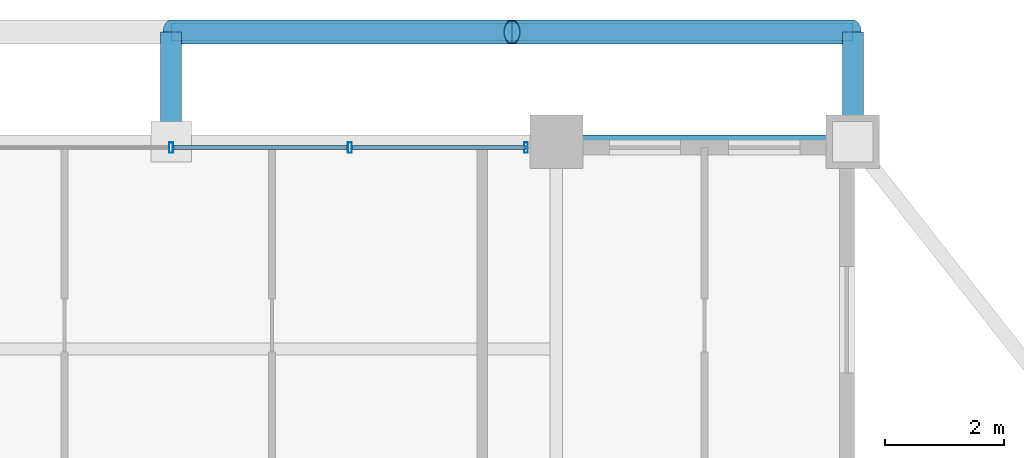
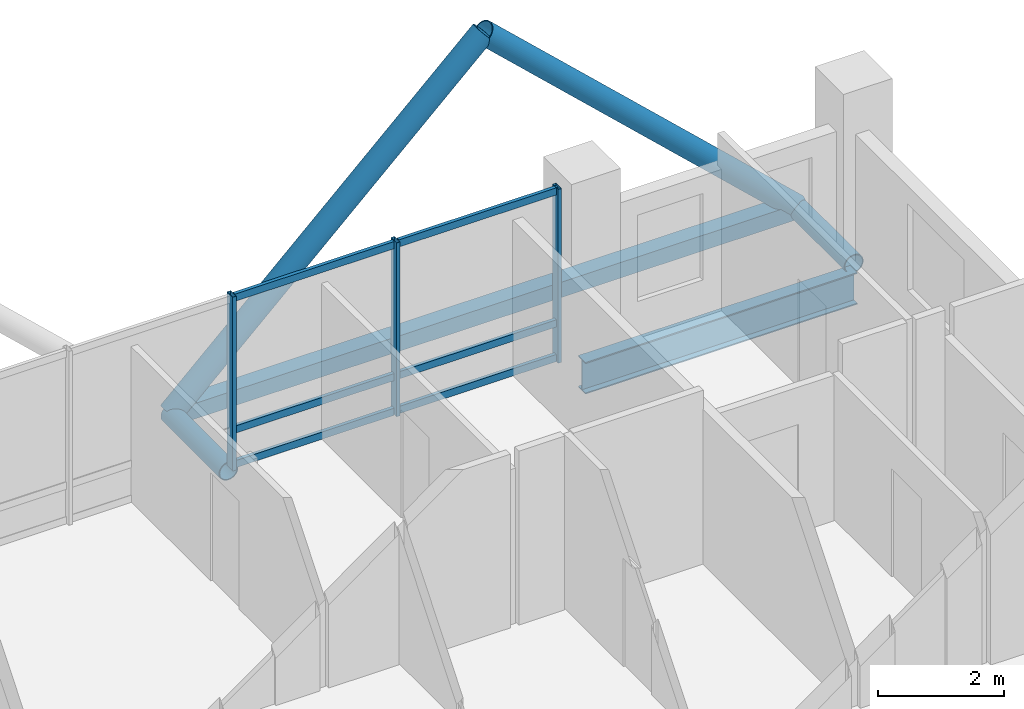
# One storey, part 17 of 24: 14 members, 1 beam, 1 element without a shape of its own.
"""IFC4 building model written with IfcOpenShell, lengths in metres."""

from ifc_helpers import new_model, si_unit, direction, frame, origin, origin_2d, place, context, subcontext, project, spatial, hollow_rectangle, hollow_circle, i_section, extrude, material, layer, layer_set, material_profile, profile_set, type_object, element, aggregate, save


model = new_model("IFC4")

# Units and contexts
model_context = context("Model", 3, precision=1e-05, world=origin(), true_north=direction((0.0, 1.0)))
body_context = subcontext(model_context, "Body", "Model", "MODEL_VIEW")
ifc_project = project(units=[si_unit("LENGTHUNIT", "METRE"), si_unit("AREAUNIT", "SQUARE_METRE"), si_unit("VOLUMEUNIT", "CUBIC_METRE"), si_unit("PLANEANGLEUNIT", "RADIAN"), si_unit("MASSUNIT", "GRAM", prefix="KILO")], contexts=[model_context])

# Site, building, storey
site_placement = place(None, origin())
site = spatial("IfcSite", under=ifc_project, at=site_placement, CompositionType="ELEMENT")
building_placement = place(site_placement, origin())
building = spatial("IfcBuilding", under=site, at=building_placement, Name="Barlavira Tower and Art Museum", CompositionType="ELEMENT")
storey_placement = place(building_placement, frame((0.0, 0.0, 283.5)))
storey = spatial("IfcBuildingStorey", under=building, at=storey_placement, Name="L74", CompositionType="ELEMENT", Elevation=283.5)

# Curtain wall, members
ifc_material_1 = material(Name="Low-iron coastal laminated glass", Category="glass")
ifc_layer = layer(ifc_material_1, 0.2099609375, Name="Low-iron coastal laminated glass")
ifc_layer_set = layer_set([ifc_layer], Name="Low-iron coastal laminated glass")
curtain_wall_type = type_object("IfcCurtainWallType", Name="Pale-Metal Unitised Curtain Wall Zone 4", PredefinedType="NOTDEFINED", material=ifc_layer_set)
curtain_wall_placement = place(storey_placement, origin())
curtain_wall = element("IfcCurtainWall", 1, at=curtain_wall_placement, inside=storey, type_object=curtain_wall_type, Name="L74 Curtain Wall CW4-L74-N-B2", PredefinedType="NOTDEFINED")
ifc_material_2 = material(Name="Pale anodised aluminium", Category="aluminium")
ifc_material_profile_1 = material_profile(ifc_material_2, hollow_rectangle(XDim=0.06494140625, YDim=0.179931640625, WallThickness=0.00390625, at=origin_2d()), Name="ALU-MULL 65x180x4")
ifc_profile_set_1 = profile_set([ifc_material_profile_1], Name="Pale anodised aluminium")
member_type_1 = type_object("IfcMemberType", Name="Curtain Wall Pale-Metal Mullion 65x180", PredefinedType="MULLION", material=ifc_profile_set_1)
member_1_placement = place(storey_placement, frame((5.985107421875, 19.89990234375, 0.0), z_axis=(0.0, 0.0, 1.0), x_axis=(-1.0, 0.0, 0.0)))
member_1 = element("IfcMember", 2, at=member_1_placement, type_object=member_type_1, Name="CW4-L74-N-B2 Mullion 0", PredefinedType="MULLION", context=body_context, shape_type="SweptSolid", body=[
    extrude(hollow_rectangle(XDim=0.06494140625, YDim=0.179931640625, WallThickness=0.00390625, at=origin_2d()), origin(), (0.0, 0.0, 1.0), 3.3798828125),
])
member_2_placement = place(storey_placement, frame((3.014892578125, 19.89990234375, 0.0), z_axis=(0.0, 0.0, 1.0), x_axis=(-1.0, 0.0, 0.0)))
member_2 = element("IfcMember", 3, at=member_2_placement, type_object=member_type_1, Name="CW4-L74-N-B2 Mullion 1", PredefinedType="MULLION", context=body_context, shape_type="SweptSolid", body=[
    extrude(hollow_rectangle(XDim=0.06494140625, YDim=0.179931640625, WallThickness=0.00390625, at=origin_2d()), origin(), (0.0, 0.0, 1.0), 3.3798828125),
])
member_3_placement = place(storey_placement, frame((0.0, 19.89990234375, 0.0), z_axis=(0.0, 0.0, 1.0), x_axis=(-1.0, 0.0, 0.0)))
member_3 = element("IfcMember", 4, at=member_3_placement, type_object=member_type_1, Name="CW4-L74-N-B2 Mullion 2", PredefinedType="MULLION", context=body_context, shape_type="SweptSolid", body=[
    extrude(hollow_rectangle(XDim=0.06494140625, YDim=0.179931640625, WallThickness=0.00390625, at=origin_2d()), origin(), (0.0, 0.0, 1.0), 3.3798828125),
])
ifc_material_profile_2 = material_profile(ifc_material_2, hollow_rectangle(XDim=0.06494140625, YDim=0.139892578125, WallThickness=0.00390625, at=origin_2d()), Name="ALU-TRAN 65x140x4")
ifc_profile_set_2 = profile_set([ifc_material_profile_2], Name="Pale anodised aluminium")
member_type_2 = type_object("IfcMemberType", Name="Curtain Wall Pale-Metal Transom 65x140", PredefinedType="USERDEFINED", material=ifc_profile_set_2)
member_4_placement = place(storey_placement, frame((5.985107421875, 19.89990234375, 0.070068359375), z_axis=(-1.0, 0.0, 0.0), x_axis=(0.0, -1.0, 0.0)))
member_4 = element("IfcMember", 5, at=member_4_placement, type_object=member_type_2, Name="CW4-L74-N-B2 Transom 0.1", ObjectType="TRANSOM", PredefinedType="USERDEFINED", context=body_context, shape_type="SweptSolid", body=[
    extrude(hollow_rectangle(XDim=0.06494140625, YDim=0.139892578125, WallThickness=0.00390625, at=origin_2d()), origin(), (0.0, 0.0, 1.0), 2.925048828125),
])
member_5_placement = place(storey_placement, frame((5.985107421875, 19.89990234375, 0.743896484375), z_axis=(-1.0, 0.0, 0.0), x_axis=(0.0, -1.0, 0.0)))
member_5 = element("IfcMember", 6, at=member_5_placement, type_object=member_type_2, Name="CW4-L74-N-B2 Transom 0.2", ObjectType="TRANSOM", PredefinedType="USERDEFINED", context=body_context, shape_type="SweptSolid", body=[
    extrude(hollow_rectangle(XDim=0.06494140625, YDim=0.139892578125, WallThickness=0.00390625, at=origin_2d()), origin(), (0.0, 0.0, 1.0), 2.925048828125),
])
member_6_placement = place(storey_placement, frame((5.985107421875, 19.89990234375, 3.31005859375), z_axis=(-1.0, 0.0, 0.0), x_axis=(0.0, -1.0, 0.0)))
member_6 = element("IfcMember", 7, at=member_6_placement, type_object=member_type_2, Name="CW4-L74-N-B2 Transom 0.3", ObjectType="TRANSOM", PredefinedType="USERDEFINED", context=body_context, shape_type="SweptSolid", body=[
    extrude(hollow_rectangle(XDim=0.06494140625, YDim=0.139892578125, WallThickness=0.00390625, at=origin_2d()), origin(), (0.0, 0.0, 1.0), 2.925048828125),
])
member_7_placement = place(storey_placement, frame((2.969970703125, 19.89990234375, 0.070068359375), z_axis=(-1.0, 0.0, 0.0), x_axis=(0.0, -1.0, 0.0)))
member_7 = element("IfcMember", 8, at=member_7_placement, type_object=member_type_2, Name="CW4-L74-N-B2 Transom 1.1", ObjectType="TRANSOM", PredefinedType="USERDEFINED", context=body_context, shape_type="SweptSolid", body=[
    extrude(hollow_rectangle(XDim=0.06494140625, YDim=0.139892578125, WallThickness=0.00390625, at=origin_2d()), origin(), (0.0, 0.0, 1.0), 2.925048828125),
])
member_8_placement = place(storey_placement, frame((2.969970703125, 19.89990234375, 0.743896484375), z_axis=(-1.0, 0.0, 0.0), x_axis=(0.0, -1.0, 0.0)))
member_8 = element("IfcMember", 9, at=member_8_placement, type_object=member_type_2, Name="CW4-L74-N-B2 Transom 1.2", ObjectType="TRANSOM", PredefinedType="USERDEFINED", context=body_context, shape_type="SweptSolid", body=[
    extrude(hollow_rectangle(XDim=0.06494140625, YDim=0.139892578125, WallThickness=0.00390625, at=origin_2d()), origin(), (0.0, 0.0, 1.0), 2.925048828125),
])
member_9_placement = place(storey_placement, frame((2.969970703125, 19.89990234375, 3.31005859375), z_axis=(-1.0, 0.0, 0.0), x_axis=(0.0, -1.0, 0.0)))
member_9 = element("IfcMember", 10, at=member_9_placement, type_object=member_type_2, Name="CW4-L74-N-B2 Transom 1.3", ObjectType="TRANSOM", PredefinedType="USERDEFINED", context=body_context, shape_type="SweptSolid", body=[
    extrude(hollow_rectangle(XDim=0.06494140625, YDim=0.139892578125, WallThickness=0.00390625, at=origin_2d()), origin(), (0.0, 0.0, 1.0), 2.925048828125),
])
aggregate(curtain_wall, [member_1, member_2, member_3, member_4, member_5, member_6, member_7, member_8, member_9])

# Members
ifc_material_3 = material(Name="Steel S355", Category="steel")
ifc_material_profile_3 = material_profile(ifc_material_3, hollow_circle(Radius=0.203125, WallThickness=0.01611328125, at=origin_2d()), Name="CHS 406.4x16.0")
ifc_profile_set_3 = profile_set([ifc_material_profile_3], Name="Steel S355")
member_type_3 = type_object("IfcMemberType", Name="Pale-Metal Exoskeleton Diagrid Tube CHS 406x16 Steel S355", PredefinedType="BRACE", material=ifc_profile_set_3)
for number, where, z_axis, x_axis, name in (
    (11, (0.0, 21.85009765625, -0.1201171875), (0.728934650808, 0.0, 0.684583285548), (0.0, 1.0, 0.0), "L74 Exoskeleton Diagrid Tube N"),
    (12, (11.5, 21.85009765625, -0.1201171875), (-0.728934650808, 0.0, 0.684583285548), (0.0, -1.0, 0.0), "L74 Exoskeleton Diagrid Tube N"),
):
    element("IfcMember", number, at=place(storey_placement, frame(where, z_axis=z_axis, x_axis=x_axis)), inside=storey, type_object=member_type_3, Name=name, PredefinedType="BRACE", context=body_context, shape_type="SweptSolid", body=[
        extrude(hollow_circle(Radius=0.203125, WallThickness=0.01611328125, at=origin_2d()), origin(), (0.0, 0.0, 1.0), 7.88818359375),
    ])
ifc_material_profile_4 = material_profile(ifc_material_3, hollow_circle(Radius=0.177734375, WallThickness=0.01611328125, at=origin_2d()), Name="CHS 355.6x16.0")
ifc_profile_set_4 = profile_set([ifc_material_profile_4], Name="Steel S355")
member_type_4 = type_object("IfcMemberType", Name="Pale-Metal Exoskeleton Tie Strut CHS 356x16 Steel S355", PredefinedType="STRUT", material=ifc_profile_set_4)
for number, where, z_axis, x_axis, name in (
    (13, (0.0, 21.85009765625, -0.1201171875), (0.0, -1.0, 0.0), (1.0, 0.0, 0.0), "L74 Exoskeleton Tie Strut N2"),
    (14, (11.5, 21.85009765625, -0.1201171875), (0.0, -1.0, 0.0), (1.0, 0.0, 0.0), "L74 Exoskeleton Tie Strut N3"),
):
    element("IfcMember", number, at=place(storey_placement, frame(where, z_axis=z_axis, x_axis=x_axis)), inside=storey, type_object=member_type_4, Name=name, PredefinedType="STRUT", context=body_context, shape_type="SweptSolid", body=[
        extrude(hollow_circle(Radius=0.177734375, WallThickness=0.01611328125, at=origin_2d()), origin(), (0.0, 0.0, 1.0), 1.85009765625),
    ])
ifc_material_profile_5 = material_profile(ifc_material_3, hollow_rectangle(XDim=0.300048828125, YDim=0.300048828125, WallThickness=0.01611328125, at=origin_2d()), Name="SHS 300x300x16.0")
ifc_profile_set_5 = profile_set([ifc_material_profile_5], Name="Steel S355")
member_type_5 = type_object("IfcMemberType", Name="Pale-Metal Upper Ring Strut SHS 300x300x16 Steel S355", PredefinedType="STRUT", material=ifc_profile_set_5)
member_10_placement = place(storey_placement, frame((0.0, 21.85009765625, -0.1201171875), z_axis=(1.0, 0.0, 0.0), x_axis=(0.0, 1.0, 0.0)))
element("IfcMember", 15, at=member_10_placement, inside=storey, type_object=member_type_5, Name="L74 Exoskeleton Ring Strut N", PredefinedType="STRUT", context=body_context, shape_type="SweptSolid", body=[
    extrude(hollow_rectangle(XDim=0.300048828125, YDim=0.300048828125, WallThickness=0.01611328125, at=origin_2d()), origin(), (0.0, 0.0, 1.0), 11.5),
])

# Beam
ifc_material_profile_6 = material_profile(ifc_material_3, i_section(OverallWidth=0.22998046875, OverallDepth=0.616943359375, WebThickness=0.01318359375, FlangeThickness=0.022216796875, at=origin_2d()), Name="W610x140.0")
ifc_profile_set_6 = profile_set([ifc_material_profile_6], Name="Steel S355")
beam_type = type_object("IfcBeamType", Name="Upper Shaft Spandrel Edge Beam W610x140 Steel S355", PredefinedType="SPANDREL", material=ifc_profile_set_6)
beam_placement = place(storey_placement, frame((6.5, 20.0, -0.528564453125), z_axis=(1.0, 0.0, 0.0), x_axis=(0.0, 1.0, 0.0)))
element("IfcBeam", 16, at=beam_placement, inside=storey, type_object=beam_type, Name="L74 Spandrel 9", PredefinedType="SPANDREL", context=body_context, shape_type="SweptSolid", body=[
    extrude(i_section(OverallWidth=0.22998046875, OverallDepth=0.616943359375, WebThickness=0.01318359375, FlangeThickness=0.022216796875, at=origin_2d()), origin(), (0.0, 0.0, 1.0), 5.0),
])

save(model, "model.ifc")
